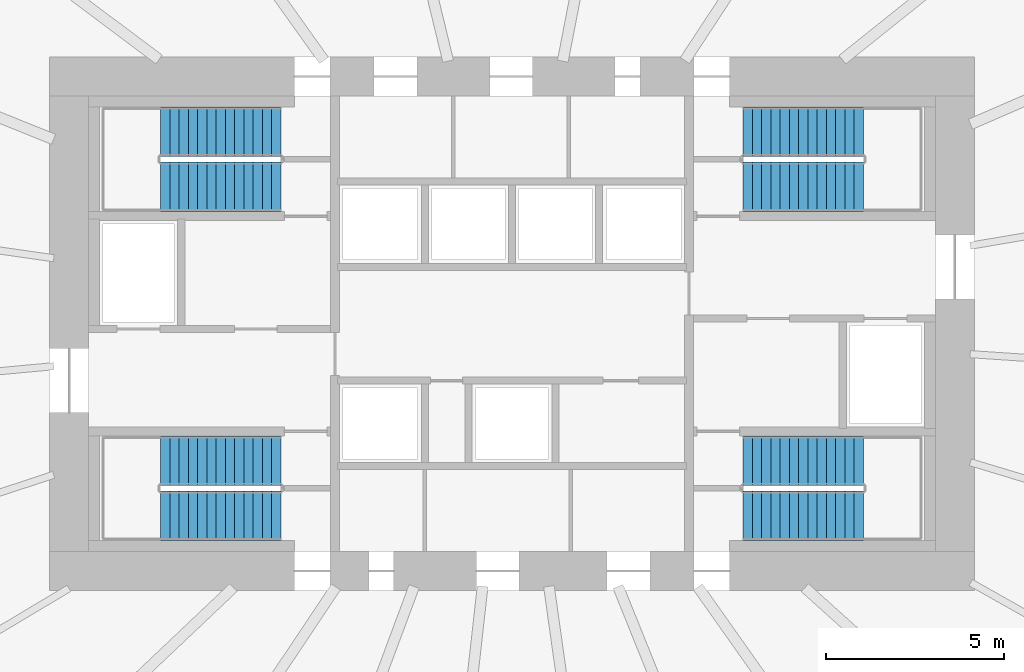
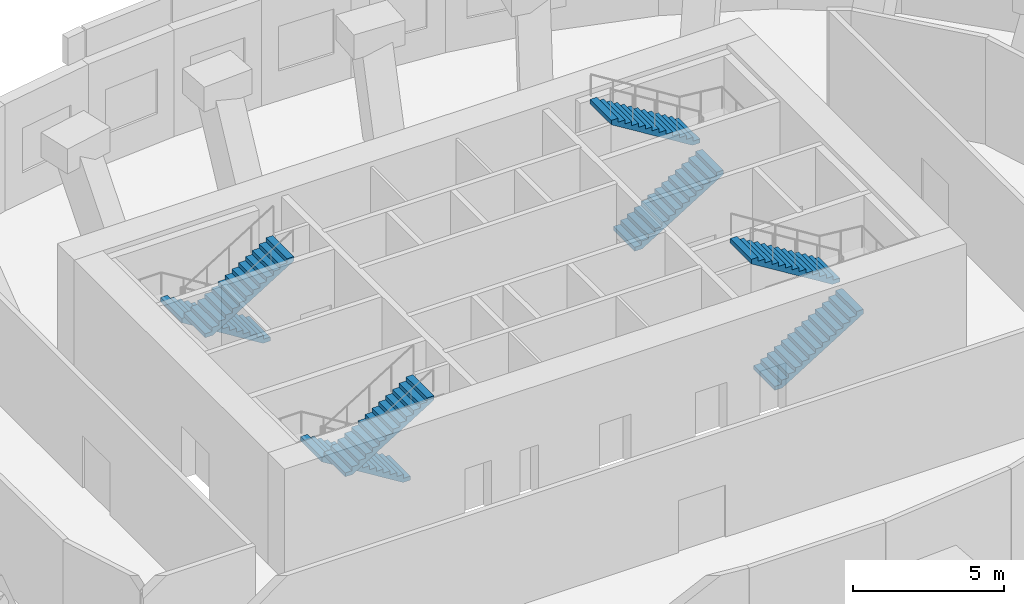
# One storey, part 8 of 9: 8 stair flights, 4 elements without a shape of their own.
"""IFC4 building model written with IfcOpenShell, lengths in metres."""

from ifc_helpers import new_model, si_unit, direction, frame, origin, place, context, subcontext, project, spatial, polyline, outline, extrude, material, type_object, element, aggregate, save


model = new_model("IFC4")

# Units and contexts
model_context = context("Model", 3, precision=1e-05, world=origin(), true_north=direction((0.0, 1.0)))
body_context = subcontext(model_context, "Body", "Model", "MODEL_VIEW")
ifc_project = project(units=[si_unit("LENGTHUNIT", "METRE"), si_unit("AREAUNIT", "SQUARE_METRE"), si_unit("VOLUMEUNIT", "CUBIC_METRE"), si_unit("PLANEANGLEUNIT", "RADIAN"), si_unit("MASSUNIT", "GRAM", prefix="KILO")], contexts=[model_context])

# Site, building, storey
site_placement = place(None, origin())
site = spatial("IfcSite", under=ifc_project, at=site_placement, CompositionType="ELEMENT")
building_placement = place(site_placement, origin())
building = spatial("IfcBuilding", under=site, at=building_placement, Name="Rubra Terraces Tower", CompositionType="ELEMENT")
storey_placement = place(building_placement, frame((0.0, 0.0, 169.5)))
storey = spatial("IfcBuildingStorey", under=building, at=storey_placement, Name="L41", CompositionType="ELEMENT", Elevation=169.5)

# Stair, stair flights
ifc_material = material(Name="Concrete C40", Category="concrete")
stair_type = type_object("IfcStairType", Name="Core stair 1400", PredefinedType="HALF_TURN_STAIR", material=ifc_material)
stair_1_placement = place(storey_placement, origin())
stair_1 = element("IfcStair", 1, at=stair_1_placement, inside=storey, type_object=stair_type, Name="L41 Exit stair S1", PredefinedType="HALF_TURN_STAIR")
stair_flight_type = type_object("IfcStairFlightType", Name="Core stair flight 1400", PredefinedType="STRAIGHT", material=ifc_material)
stair_flight_1_placement = place(storey_placement, frame((-6.5, 0.64990234375, 0.0), z_axis=(0.0, 0.0, 1.0), x_axis=(-1.0, 0.0, 0.0)))
stair_flight_1 = element("IfcStairFlight", 2, at=stair_flight_1_placement, type_object=stair_flight_type, Name="S1 flight 1", NumberOfRisers=14, NumberOfTreads=13, PredefinedType="STRAIGHT", RiserHeight=0.160714286, TreadLength=0.26, context=body_context, shape_type="SweptSolid", body=[
    extrude(outline(polyline([(0.0, 0.0), (0.0, 0.16064453125), (0.260009765625, 0.16064453125), (0.260009765625, 0.321533203125), (0.52001953125, 0.321533203125), (0.52001953125, 0.482177734375), (0.780029296875, 0.482177734375), (0.780029296875, 0.642822265625), (1.0400390625, 0.642822265625), (1.0400390625, 0.803466796875), (1.300048828125, 0.803466796875), (1.300048828125, 0.96435546875), (1.56005859375, 0.96435546875), (1.56005859375, 1.125), (1.820068359375, 1.125), (1.820068359375, 1.28564453125), (2.080078125, 1.28564453125), (2.080078125, 1.446533203125), (2.340087890625, 1.446533203125), (2.340087890625, 1.607177734375), (2.60009765625, 1.607177734375), (2.60009765625, 1.767822265625), (2.860107421875, 1.767822265625), (2.860107421875, 1.928466796875), (3.1201171875, 1.928466796875), (3.1201171875, 2.08935546875), (3.3798828125, 2.08935546875), (3.3798828125, 2.25), (3.3798828125, 1.9130859375), (0.28515625, 0.0), (0.0, 0.0)])), frame((0.0, 0.699951171875, 0.0), z_axis=(0.0, -1.0, 0.0), x_axis=(1.0, 0.0, 0.0)), (0.0, 0.0, 1.0), 1.39990234375),
])
stair_flight_2_placement = place(storey_placement, frame((-9.8798828125, -0.89990234375, 2.25), z_axis=(0.0, 0.0, 1.0), x_axis=(1.0, 0.0, 0.0)))
stair_flight_2 = element("IfcStairFlight", 3, at=stair_flight_2_placement, type_object=stair_flight_type, Name="S1 flight 2", NumberOfRisers=14, NumberOfTreads=13, PredefinedType="STRAIGHT", RiserHeight=0.160714286, TreadLength=0.26, context=body_context, shape_type="SweptSolid", body=[
    extrude(outline(polyline([(0.0, 0.0), (0.0, 0.16064453125), (0.260009765625, 0.16064453125), (0.260009765625, 0.321533203125), (0.52001953125, 0.321533203125), (0.52001953125, 0.482177734375), (0.780029296875, 0.482177734375), (0.780029296875, 0.642822265625), (1.0400390625, 0.642822265625), (1.0400390625, 0.803466796875), (1.300048828125, 0.803466796875), (1.300048828125, 0.96435546875), (1.56005859375, 0.96435546875), (1.56005859375, 1.125), (1.820068359375, 1.125), (1.820068359375, 1.28564453125), (2.080078125, 1.28564453125), (2.080078125, 1.446533203125), (2.340087890625, 1.446533203125), (2.340087890625, 1.607177734375), (2.60009765625, 1.607177734375), (2.60009765625, 1.767822265625), (2.860107421875, 1.767822265625), (2.860107421875, 1.928466796875), (3.1201171875, 1.928466796875), (3.1201171875, 2.08935546875), (3.3798828125, 2.08935546875), (3.3798828125, 2.25), (3.3798828125, 1.9130859375), (0.28515625, 0.0), (0.0, 0.0)])), frame((0.0, 0.699951171875, 0.0), z_axis=(0.0, -1.0, 0.0), x_axis=(1.0, 0.0, 0.0)), (0.0, 0.0, 1.0), 1.39990234375),
])
aggregate(stair_1, [stair_flight_1, stair_flight_2])

stair_2_placement = place(storey_placement, origin())
stair_2 = element("IfcStair", 4, at=stair_2_placement, inside=storey, type_object=stair_type, Name="L41 Exit stair S2", PredefinedType="HALF_TURN_STAIR")
stair_flight_3_placement = place(storey_placement, frame((-6.5, 9.89990234375, 0.0), z_axis=(0.0, 0.0, 1.0), x_axis=(-1.0, 0.0, 0.0)))
stair_flight_3 = element("IfcStairFlight", 5, at=stair_flight_3_placement, type_object=stair_flight_type, Name="S2 flight 1", NumberOfRisers=14, NumberOfTreads=13, PredefinedType="STRAIGHT", RiserHeight=0.160714286, TreadLength=0.26, context=body_context, shape_type="SweptSolid", body=[
    extrude(outline(polyline([(0.0, 0.0), (0.0, 0.16064453125), (0.260009765625, 0.16064453125), (0.260009765625, 0.321533203125), (0.52001953125, 0.321533203125), (0.52001953125, 0.482177734375), (0.780029296875, 0.482177734375), (0.780029296875, 0.642822265625), (1.0400390625, 0.642822265625), (1.0400390625, 0.803466796875), (1.300048828125, 0.803466796875), (1.300048828125, 0.96435546875), (1.56005859375, 0.96435546875), (1.56005859375, 1.125), (1.820068359375, 1.125), (1.820068359375, 1.28564453125), (2.080078125, 1.28564453125), (2.080078125, 1.446533203125), (2.340087890625, 1.446533203125), (2.340087890625, 1.607177734375), (2.60009765625, 1.607177734375), (2.60009765625, 1.767822265625), (2.860107421875, 1.767822265625), (2.860107421875, 1.928466796875), (3.1201171875, 1.928466796875), (3.1201171875, 2.08935546875), (3.3798828125, 2.08935546875), (3.3798828125, 2.25), (3.3798828125, 1.9130859375), (0.28515625, 0.0), (0.0, 0.0)])), frame((0.0, 0.699951171875, 0.0), z_axis=(0.0, -1.0, 0.0), x_axis=(1.0, 0.0, 0.0)), (0.0, 0.0, 1.0), 1.39990234375),
])
stair_flight_4_placement = place(storey_placement, frame((-9.8798828125, 8.35009765625, 2.25), z_axis=(0.0, 0.0, 1.0), x_axis=(1.0, 0.0, 0.0)))
stair_flight_4 = element("IfcStairFlight", 6, at=stair_flight_4_placement, type_object=stair_flight_type, Name="S2 flight 2", NumberOfRisers=14, NumberOfTreads=13, PredefinedType="STRAIGHT", RiserHeight=0.160714286, TreadLength=0.26, context=body_context, shape_type="SweptSolid", body=[
    extrude(outline(polyline([(0.0, 0.0), (0.0, 0.16064453125), (0.260009765625, 0.16064453125), (0.260009765625, 0.321533203125), (0.52001953125, 0.321533203125), (0.52001953125, 0.482177734375), (0.780029296875, 0.482177734375), (0.780029296875, 0.642822265625), (1.0400390625, 0.642822265625), (1.0400390625, 0.803466796875), (1.300048828125, 0.803466796875), (1.300048828125, 0.96435546875), (1.56005859375, 0.96435546875), (1.56005859375, 1.125), (1.820068359375, 1.125), (1.820068359375, 1.28564453125), (2.080078125, 1.28564453125), (2.080078125, 1.446533203125), (2.340087890625, 1.446533203125), (2.340087890625, 1.607177734375), (2.60009765625, 1.607177734375), (2.60009765625, 1.767822265625), (2.860107421875, 1.767822265625), (2.860107421875, 1.928466796875), (3.1201171875, 1.928466796875), (3.1201171875, 2.08935546875), (3.3798828125, 2.08935546875), (3.3798828125, 2.25), (3.3798828125, 1.9130859375), (0.28515625, 0.0), (0.0, 0.0)])), frame((0.0, 0.699951171875, 0.0), z_axis=(0.0, -1.0, 0.0), x_axis=(1.0, 0.0, 0.0)), (0.0, 0.0, 1.0), 1.39990234375),
])
aggregate(stair_2, [stair_flight_3, stair_flight_4])

stair_3_placement = place(storey_placement, origin())
stair_3 = element("IfcStair", 7, at=stair_3_placement, inside=storey, type_object=stair_type, Name="L41 Exit stair S3", PredefinedType="HALF_TURN_STAIR")
stair_flight_5_placement = place(storey_placement, frame((6.5, 8.35009765625, 0.0), z_axis=(0.0, 0.0, 1.0), x_axis=(1.0, 0.0, 0.0)))
stair_flight_5 = element("IfcStairFlight", 8, at=stair_flight_5_placement, type_object=stair_flight_type, Name="S3 flight 1", NumberOfRisers=14, NumberOfTreads=13, PredefinedType="STRAIGHT", RiserHeight=0.160714286, TreadLength=0.26, context=body_context, shape_type="SweptSolid", body=[
    extrude(outline(polyline([(0.0, 0.0), (0.0, 0.16064453125), (0.260009765625, 0.16064453125), (0.260009765625, 0.321533203125), (0.52001953125, 0.321533203125), (0.52001953125, 0.482177734375), (0.780029296875, 0.482177734375), (0.780029296875, 0.642822265625), (1.0400390625, 0.642822265625), (1.0400390625, 0.803466796875), (1.300048828125, 0.803466796875), (1.300048828125, 0.96435546875), (1.56005859375, 0.96435546875), (1.56005859375, 1.125), (1.820068359375, 1.125), (1.820068359375, 1.28564453125), (2.080078125, 1.28564453125), (2.080078125, 1.446533203125), (2.340087890625, 1.446533203125), (2.340087890625, 1.607177734375), (2.60009765625, 1.607177734375), (2.60009765625, 1.767822265625), (2.860107421875, 1.767822265625), (2.860107421875, 1.928466796875), (3.1201171875, 1.928466796875), (3.1201171875, 2.08935546875), (3.3798828125, 2.08935546875), (3.3798828125, 2.25), (3.3798828125, 1.9130859375), (0.28515625, 0.0), (0.0, 0.0)])), frame((0.0, 0.699951171875, 0.0), z_axis=(0.0, -1.0, 0.0), x_axis=(1.0, 0.0, 0.0)), (0.0, 0.0, 1.0), 1.39990234375),
])
stair_flight_6_placement = place(storey_placement, frame((9.8798828125, 9.89990234375, 2.25), z_axis=(0.0, 0.0, 1.0), x_axis=(-1.0, 0.0, 0.0)))
stair_flight_6 = element("IfcStairFlight", 9, at=stair_flight_6_placement, type_object=stair_flight_type, Name="S3 flight 2", NumberOfRisers=14, NumberOfTreads=13, PredefinedType="STRAIGHT", RiserHeight=0.160714286, TreadLength=0.26, context=body_context, shape_type="SweptSolid", body=[
    extrude(outline(polyline([(0.0, 0.0), (0.0, 0.16064453125), (0.260009765625, 0.16064453125), (0.260009765625, 0.321533203125), (0.52001953125, 0.321533203125), (0.52001953125, 0.482177734375), (0.780029296875, 0.482177734375), (0.780029296875, 0.642822265625), (1.0400390625, 0.642822265625), (1.0400390625, 0.803466796875), (1.300048828125, 0.803466796875), (1.300048828125, 0.96435546875), (1.56005859375, 0.96435546875), (1.56005859375, 1.125), (1.820068359375, 1.125), (1.820068359375, 1.28564453125), (2.080078125, 1.28564453125), (2.080078125, 1.446533203125), (2.340087890625, 1.446533203125), (2.340087890625, 1.607177734375), (2.60009765625, 1.607177734375), (2.60009765625, 1.767822265625), (2.860107421875, 1.767822265625), (2.860107421875, 1.928466796875), (3.1201171875, 1.928466796875), (3.1201171875, 2.08935546875), (3.3798828125, 2.08935546875), (3.3798828125, 2.25), (3.3798828125, 1.9130859375), (0.28515625, 0.0), (0.0, 0.0)])), frame((0.0, 0.699951171875, 0.0), z_axis=(0.0, -1.0, 0.0), x_axis=(1.0, 0.0, 0.0)), (0.0, 0.0, 1.0), 1.39990234375),
])
aggregate(stair_3, [stair_flight_5, stair_flight_6])

stair_4_placement = place(storey_placement, origin())
stair_4 = element("IfcStair", 10, at=stair_4_placement, inside=storey, type_object=stair_type, Name="L41 Exit stair S4", PredefinedType="HALF_TURN_STAIR")
stair_flight_7_placement = place(storey_placement, frame((6.5, -0.89990234375, 0.0), z_axis=(0.0, 0.0, 1.0), x_axis=(1.0, 0.0, 0.0)))
stair_flight_7 = element("IfcStairFlight", 11, at=stair_flight_7_placement, type_object=stair_flight_type, Name="S4 flight 1", NumberOfRisers=14, NumberOfTreads=13, PredefinedType="STRAIGHT", RiserHeight=0.160714286, TreadLength=0.26, context=body_context, shape_type="SweptSolid", body=[
    extrude(outline(polyline([(0.0, 0.0), (0.0, 0.16064453125), (0.260009765625, 0.16064453125), (0.260009765625, 0.321533203125), (0.52001953125, 0.321533203125), (0.52001953125, 0.482177734375), (0.780029296875, 0.482177734375), (0.780029296875, 0.642822265625), (1.0400390625, 0.642822265625), (1.0400390625, 0.803466796875), (1.300048828125, 0.803466796875), (1.300048828125, 0.96435546875), (1.56005859375, 0.96435546875), (1.56005859375, 1.125), (1.820068359375, 1.125), (1.820068359375, 1.28564453125), (2.080078125, 1.28564453125), (2.080078125, 1.446533203125), (2.340087890625, 1.446533203125), (2.340087890625, 1.607177734375), (2.60009765625, 1.607177734375), (2.60009765625, 1.767822265625), (2.860107421875, 1.767822265625), (2.860107421875, 1.928466796875), (3.1201171875, 1.928466796875), (3.1201171875, 2.08935546875), (3.3798828125, 2.08935546875), (3.3798828125, 2.25), (3.3798828125, 1.9130859375), (0.28515625, 0.0), (0.0, 0.0)])), frame((0.0, 0.699951171875, 0.0), z_axis=(0.0, -1.0, 0.0), x_axis=(1.0, 0.0, 0.0)), (0.0, 0.0, 1.0), 1.39990234375),
])
stair_flight_8_placement = place(storey_placement, frame((9.8798828125, 0.64990234375, 2.25), z_axis=(0.0, 0.0, 1.0), x_axis=(-1.0, 0.0, 0.0)))
stair_flight_8 = element("IfcStairFlight", 12, at=stair_flight_8_placement, type_object=stair_flight_type, Name="S4 flight 2", NumberOfRisers=14, NumberOfTreads=13, PredefinedType="STRAIGHT", RiserHeight=0.160714286, TreadLength=0.26, context=body_context, shape_type="SweptSolid", body=[
    extrude(outline(polyline([(0.0, 0.0), (0.0, 0.16064453125), (0.260009765625, 0.16064453125), (0.260009765625, 0.321533203125), (0.52001953125, 0.321533203125), (0.52001953125, 0.482177734375), (0.780029296875, 0.482177734375), (0.780029296875, 0.642822265625), (1.0400390625, 0.642822265625), (1.0400390625, 0.803466796875), (1.300048828125, 0.803466796875), (1.300048828125, 0.96435546875), (1.56005859375, 0.96435546875), (1.56005859375, 1.125), (1.820068359375, 1.125), (1.820068359375, 1.28564453125), (2.080078125, 1.28564453125), (2.080078125, 1.446533203125), (2.340087890625, 1.446533203125), (2.340087890625, 1.607177734375), (2.60009765625, 1.607177734375), (2.60009765625, 1.767822265625), (2.860107421875, 1.767822265625), (2.860107421875, 1.928466796875), (3.1201171875, 1.928466796875), (3.1201171875, 2.08935546875), (3.3798828125, 2.08935546875), (3.3798828125, 2.25), (3.3798828125, 1.9130859375), (0.28515625, 0.0), (0.0, 0.0)])), frame((0.0, 0.699951171875, 0.0), z_axis=(0.0, -1.0, 0.0), x_axis=(1.0, 0.0, 0.0)), (0.0, 0.0, 1.0), 1.39990234375),
])
aggregate(stair_4, [stair_flight_7, stair_flight_8])

save(model, "model.ifc")
